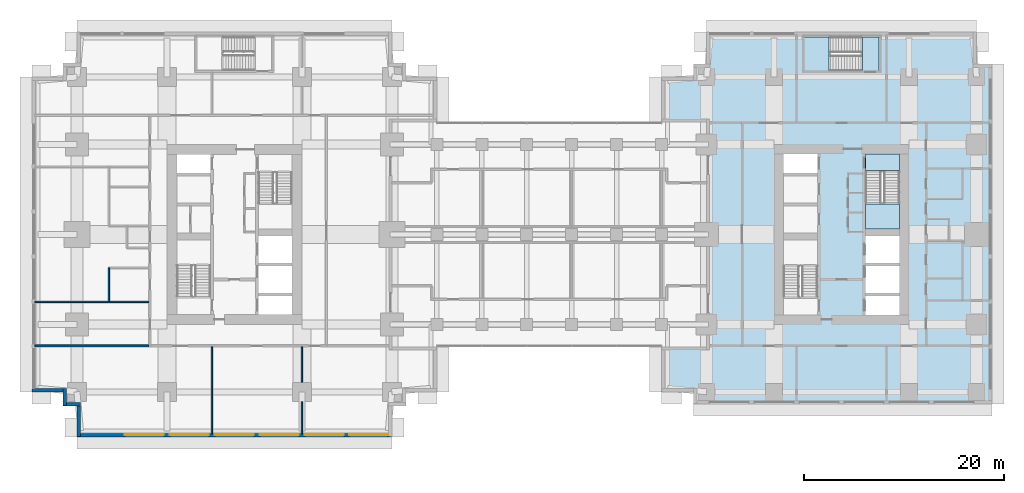
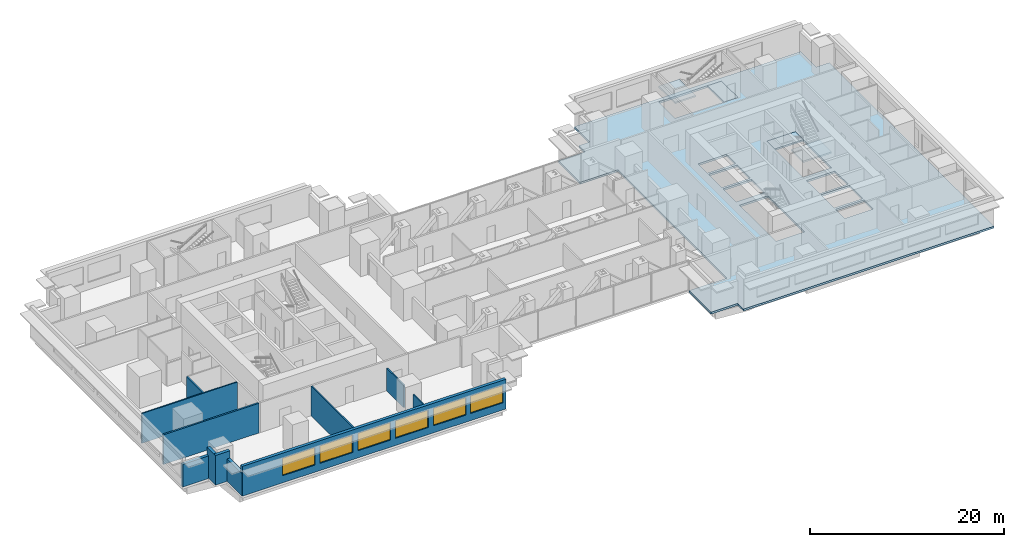
# One storey, part 6 of 16: 11 walls, 6 windows, 5 slabs, 6 openings, 2 elements without a shape of their own.
"""IFC4 building model written with IfcOpenShell, lengths in metres."""

from ifc_helpers import new_model, si_unit, direction, frame, frame_2d, origin, place, context, subcontext, project, spatial, polyline, rectangle, outline, extrude, material, layer, layer_set, type_object, element, fill, aggregate, save


model = new_model("IFC4")

# Units and contexts
model_context = context("Model", 3, precision=1e-05, world=origin(), true_north=direction((0.0, 1.0)))
body_context = subcontext(model_context, "Body", "Model", "MODEL_VIEW")
ifc_project = project(units=[si_unit("LENGTHUNIT", "METRE"), si_unit("AREAUNIT", "SQUARE_METRE"), si_unit("VOLUMEUNIT", "CUBIC_METRE"), si_unit("PLANEANGLEUNIT", "RADIAN"), si_unit("MASSUNIT", "GRAM", prefix="KILO")], contexts=[model_context])

# Site, building, storey
site_placement = place(None, origin())
site = spatial("IfcSite", under=ifc_project, at=site_placement, CompositionType="ELEMENT")
building_placement = place(site_placement, origin())
building = spatial("IfcBuilding", under=site, at=building_placement, Name="Namib Vertical Campus", CompositionType="ELEMENT")
storey_placement = place(building_placement, frame((0.0, 0.0, 121.0)))
storey = spatial("IfcBuildingStorey", under=building, at=storey_placement, Name="L28", CompositionType="ELEMENT", Elevation=121.0)

# Slab
ifc_material_1 = material(Name="Concrete C40/50", Category="concrete")
ifc_layer_1 = layer(ifc_material_1, 0.25)
ifc_layer_set_1 = layer_set([ifc_layer_1], Name="Concrete C40/50")
slab_type_1 = type_object("IfcSlabType", Name="Floor slab 250", PredefinedType="FLOOR", material=ifc_layer_set_1)
slab_1_placement = place(storey_placement, frame((0.0, 0.0, -0.25)))
element("IfcSlab", 1, at=slab_1_placement, inside=storey, type_object=slab_type_1, Name="Floor slab B L28", PredefinedType="FLOOR", context=body_context, shape_type="SweptSolid", body=[
    extrude(outline(polyline([(63.0, 9.0), (63.0, 4.5), (66.199951171875, 4.5), (66.199951171875, 3.300048828125), (96.050048828125, 3.300048828125), (96.050048828125, 37.300048828125), (94.5, 37.300048828125), (94.5, 40.5), (67.5, 40.5), (67.5, 37.300048828125), (66.199951171875, 37.300048828125), (66.199951171875, 36.0), (63.0, 36.0), (63.0, 31.5), (67.5, 31.5), (67.5, 9.0), (63.0, 9.0)]), holes=[polyline([(75.199951171875, 12.199951171875), (78.60009765625, 12.199951171875), (78.60009765625, 19.699951171875), (75.199951171875, 19.699951171875), (75.199951171875, 12.199951171875)]), polyline([(83.39990234375, 20.800048828125), (86.800048828125, 20.800048828125), (86.800048828125, 28.300048828125), (83.39990234375, 28.300048828125), (83.39990234375, 20.800048828125)]), polyline([(83.39990234375, 12.199951171875), (86.800048828125, 12.199951171875), (86.800048828125, 14.10009765625), (83.39990234375, 14.10009765625), (83.39990234375, 12.199951171875)]), polyline([(75.199951171875, 20.39990234375), (78.60009765625, 20.39990234375), (78.60009765625, 23.10009765625), (75.199951171875, 23.10009765625), (75.199951171875, 20.39990234375)]), polyline([(75.199951171875, 23.39990234375), (78.60009765625, 23.39990234375), (78.60009765625, 26.10009765625), (75.199951171875, 26.10009765625), (75.199951171875, 23.39990234375)]), polyline([(75.199951171875, 26.39990234375), (78.60009765625, 26.39990234375), (78.60009765625, 28.300048828125), (75.199951171875, 28.300048828125), (75.199951171875, 26.39990234375)]), polyline([(83.39990234375, 14.39990234375), (86.800048828125, 14.39990234375), (86.800048828125, 17.10009765625), (83.39990234375, 17.10009765625), (83.39990234375, 14.39990234375)]), polyline([(83.39990234375, 17.39990234375), (86.800048828125, 17.39990234375), (86.800048828125, 20.10009765625), (83.39990234375, 20.10009765625), (83.39990234375, 17.39990234375)]), polyline([(77.25, 36.60009765625), (84.75, 36.60009765625), (84.75, 40.0), (77.25, 40.0), (77.25, 36.60009765625)])]), origin(), (0.0, 0.0, 1.0), 0.25),
])

# Stair, slabs
ifc_material_2 = material(Name="Concrete C40/50 precast", Category="concrete")
stair_type = type_object("IfcStairType", Name="Exit stair 4000 rise 24 risers 3400 wide", PredefinedType="HALF_TURN_STAIR", material=ifc_material_2)
stair_1_placement = place(storey_placement, origin())
stair_1 = element("IfcStair", 2, at=stair_1_placement, inside=storey, type_object=stair_type, Name="Exit stair B-S2 L28", PredefinedType="HALF_TURN_STAIR")
ifc_material_3 = material(Name="Concrete C40/50", Category="concrete")
ifc_layer_2 = layer(ifc_material_3, 0.199951171875)
ifc_layer_set_2 = layer_set([ifc_layer_2], Name="Concrete C40/50")
slab_type_2 = type_object("IfcSlabType", Name="Stair landing 200", PredefinedType="LANDING", material=ifc_layer_set_2)
slab_2_placement = place(storey_placement, frame((0.0, 0.0, -0.199951171875)))
slab_2 = element("IfcSlab", 3, at=slab_2_placement, type_object=slab_type_2, Name="B-S2 landing 1", PredefinedType="LANDING", context=body_context, shape_type="SweptSolid", body=[
    extrude(outline(polyline([(83.39990234375, 26.64599609375), (86.800048828125, 26.64599609375), (86.800048828125, 28.300048828125), (83.39990234375, 28.300048828125), (83.39990234375, 26.64599609375)])), origin(), (0.0, 0.0, 1.0), 0.199951171875),
])
slab_3_placement = place(storey_placement, frame((0.0, 0.0, 1.800048828125)))
slab_3 = element("IfcSlab", 4, at=slab_3_placement, type_object=slab_type_2, Name="B-S2 landing 2", PredefinedType="LANDING", context=body_context, shape_type="SweptSolid", body=[
    extrude(outline(polyline([(83.39990234375, 20.800048828125), (86.800048828125, 20.800048828125), (86.800048828125, 23.27392578125), (83.39990234375, 23.27392578125), (83.39990234375, 20.800048828125)])), origin(), (0.0, 0.0, 1.0), 0.199951171875),
])
aggregate(stair_1, [slab_2, slab_3])

stair_2_placement = place(storey_placement, origin())
stair_2 = element("IfcStair", 5, at=stair_2_placement, inside=storey, type_object=stair_type, Name="Exit stair B-S3 L28", PredefinedType="HALF_TURN_STAIR")
slab_4_placement = place(storey_placement, frame((0.0, 0.0, -0.199951171875)))
slab_4 = element("IfcSlab", 6, at=slab_4_placement, type_object=slab_type_2, Name="B-S3 landing 1", PredefinedType="LANDING", context=body_context, shape_type="SweptSolid", body=[
    extrude(outline(polyline([(83.09619140625, 36.60009765625), (83.09619140625, 40.0), (84.75, 40.0), (84.75, 36.60009765625), (83.09619140625, 36.60009765625)])), origin(), (0.0, 0.0, 1.0), 0.199951171875),
])
slab_5_placement = place(storey_placement, frame((0.0, 0.0, 1.800048828125)))
slab_5 = element("IfcSlab", 7, at=slab_5_placement, type_object=slab_type_2, Name="B-S3 landing 2", PredefinedType="LANDING", context=body_context, shape_type="SweptSolid", body=[
    extrude(outline(polyline([(77.25, 36.60009765625), (77.25, 40.0), (79.723876953125, 40.0), (79.723876953125, 36.60009765625), (77.25, 36.60009765625)])), origin(), (0.0, 0.0, 1.0), 0.199951171875),
])
aggregate(stair_2, [slab_4, slab_5])

# Walls
ifc_material_4 = material(Name="Concrete masonry", Category="masonry")
ifc_layer_3 = layer(ifc_material_4, 0.199951171875)
ifc_layer_set_3 = layer_set([ifc_layer_3], Name="Corridor wall 200")
wall_type_1 = type_object("IfcWallType", Name="Corridor wall 200", PredefinedType="SOLIDWALL", material=ifc_layer_set_3)
wall_1_placement = place(storey_placement, frame((0.300048828125, 9.10009765625, 0.0), z_axis=(0.0, 0.0, 1.0), x_axis=(1.0, 0.0, 0.0)))
element("IfcWall", 8, at=wall_1_placement, inside=storey, type_object=wall_type_1, Name="Partition A L28 BSW", PredefinedType="SOLIDWALL", context=body_context, shape_type="SweptSolid", body=[
    extrude(rectangle(XDim=11.39990234375, YDim=0.199951171875, at=frame_2d((5.699951171875, 0.0))), origin(), (0.0, 0.0, 1.0), 3.75),
])
ifc_material_5 = material(Name="Concrete C40/50", Category="concrete")
ifc_layer_4 = layer(ifc_material_5, 0.35009765625)
ifc_layer_set_4 = layer_set([ifc_layer_4], Name="Concrete C40/50")
wall_type_2 = type_object("IfcWallType", Name="External wall 350 bush-hammered concrete", PredefinedType="STANDARD", material=ifc_layer_set_4)
wall_2_placement = place(storey_placement, frame((4.675048828125, 3.429931640625, 0.0), z_axis=(0.0, 0.0, 1.0), x_axis=(0.0, -1.0, 0.0)))
element("IfcWall", 9, at=wall_2_placement, inside=storey, type_object=wall_type_2, Name="External wall L28 F01", PredefinedType="STANDARD", context=body_context, shape_type="SweptSolid", body=[
    extrude(rectangle(XDim=3.409912109375, YDim=0.35009765625, at=frame_2d((1.705078125, 0.0))), origin(), (0.0, 0.0, 1.0), 2.85009765625),
])

# Wall, openings, windows
wall_3_placement = place(storey_placement, frame((4.52001953125, 0.175048828125, 0.0), z_axis=(0.0, 0.0, 1.0), x_axis=(1.0, 0.0, 0.0)))
wall_3 = element("IfcWall", 10, at=wall_3_placement, inside=storey, type_object=wall_type_2, Name="External wall L28 F02", PredefinedType="STANDARD", context=body_context, shape_type="SweptSolid", body=[
    extrude(rectangle(XDim=31.4599609375, YDim=0.35009765625, at=frame_2d((15.72998046875, 0.0))), origin(), (0.0, 0.0, 1.0), 3.75),
])
opening_1_placement = place(wall_3_placement, frame((4.780029296875, 0.0, 0.89990234375)))
opening_1 = element("IfcOpeningElement", 11, at=opening_1_placement, cuts=wall_3, Name="Opening W1", PredefinedType="OPENING", context=body_context, shape_type="SweptSolid", body=[
    extrude(rectangle(XDim=3.89990234375, YDim=2.199951171875, at=frame_2d((1.949951171875, 1.10009765625))), frame((0.0, 0.18505859375, 0.0), z_axis=(0.0, -1.0, 0.0), x_axis=(1.0, 0.0, 0.0)), (0.0, 0.0, 1.0), 0.3701171875),
])
opening_2_placement = place(wall_3_placement, frame((9.280029296875, 0.0, 0.89990234375)))
opening_2 = element("IfcOpeningElement", 12, at=opening_2_placement, cuts=wall_3, Name="Opening W1", PredefinedType="OPENING", context=body_context, shape_type="SweptSolid", body=[
    extrude(rectangle(XDim=3.89990234375, YDim=2.199951171875, at=frame_2d((1.949951171875, 1.10009765625))), frame((0.0, 0.18505859375, 0.0), z_axis=(0.0, -1.0, 0.0), x_axis=(1.0, 0.0, 0.0)), (0.0, 0.0, 1.0), 0.3701171875),
])
opening_3_placement = place(wall_3_placement, frame((13.780029296875, 0.0, 0.89990234375)))
opening_3 = element("IfcOpeningElement", 13, at=opening_3_placement, cuts=wall_3, Name="Opening W1", PredefinedType="OPENING", context=body_context, shape_type="SweptSolid", body=[
    extrude(rectangle(XDim=3.89990234375, YDim=2.199951171875, at=frame_2d((1.949951171875, 1.10009765625))), frame((0.0, 0.18505859375, 0.0), z_axis=(0.0, -1.0, 0.0), x_axis=(1.0, 0.0, 0.0)), (0.0, 0.0, 1.0), 0.3701171875),
])
opening_4_placement = place(wall_3_placement, frame((18.280029296875, 0.0, 0.89990234375)))
opening_4 = element("IfcOpeningElement", 14, at=opening_4_placement, cuts=wall_3, Name="Opening W1", PredefinedType="OPENING", context=body_context, shape_type="SweptSolid", body=[
    extrude(rectangle(XDim=3.89990234375, YDim=2.199951171875, at=frame_2d((1.949951171875, 1.10009765625))), frame((0.0, 0.18505859375, 0.0), z_axis=(0.0, -1.0, 0.0), x_axis=(1.0, 0.0, 0.0)), (0.0, 0.0, 1.0), 0.3701171875),
])
opening_5_placement = place(wall_3_placement, frame((22.780029296875, 0.0, 0.89990234375)))
opening_5 = element("IfcOpeningElement", 15, at=opening_5_placement, cuts=wall_3, Name="Opening W1", PredefinedType="OPENING", context=body_context, shape_type="SweptSolid", body=[
    extrude(rectangle(XDim=3.89990234375, YDim=2.199951171875, at=frame_2d((1.949951171875, 1.10009765625))), frame((0.0, 0.18505859375, 0.0), z_axis=(0.0, -1.0, 0.0), x_axis=(1.0, 0.0, 0.0)), (0.0, 0.0, 1.0), 0.3701171875),
])
opening_6_placement = place(wall_3_placement, frame((27.2099609375, 0.0, 0.89990234375)))
opening_6 = element("IfcOpeningElement", 16, at=opening_6_placement, cuts=wall_3, Name="Opening W1", PredefinedType="OPENING", context=body_context, shape_type="SweptSolid", body=[
    extrude(rectangle(XDim=3.89990234375, YDim=2.199951171875, at=frame_2d((1.949951171875, 1.10009765625))), frame((0.0, 0.18505859375, 0.0), z_axis=(0.0, -1.0, 0.0), x_axis=(1.0, 0.0, 0.0)), (0.0, 0.0, 1.0), 0.3701171875),
])
ifc_material_6 = material(Name="Dark tinted glass in black aluminium frame", Category="aluminium")
window_type = type_object("IfcWindowType", Name="Ribbon window 3900x2200", PartitioningType="SINGLE_PANEL", PredefinedType="WINDOW", material=ifc_material_6)
window_1_placement = place(opening_1_placement, origin())
window_1 = element("IfcWindow", 17, at=window_1_placement, inside=storey, type_object=window_type, Name="Window W1 L28 F02-2", OverallHeight=2.199951171875, OverallWidth=3.89990234375, PartitioningType="SINGLE_PANEL", PredefinedType="WINDOW", context=body_context, shape_type="SweptSolid", body=[
    extrude(rectangle(XDim=3.89990234375, YDim=2.199951171875, at=frame_2d((1.949951171875, 1.10009765625))), frame((0.0, 0.030029296875, 0.0), z_axis=(0.0, -1.0, 0.0), x_axis=(1.0, 0.0, 0.0)), (0.0, 0.0, 1.0), 0.06005859375),
])
fill(opening_1, window_1)
window_2_placement = place(opening_2_placement, origin())
window_2 = element("IfcWindow", 18, at=window_2_placement, inside=storey, type_object=window_type, Name="Window W1 L28 F02-3", OverallHeight=2.199951171875, OverallWidth=3.89990234375, PartitioningType="SINGLE_PANEL", PredefinedType="WINDOW", context=body_context, shape_type="SweptSolid", body=[
    extrude(rectangle(XDim=3.89990234375, YDim=2.199951171875, at=frame_2d((1.949951171875, 1.10009765625))), frame((0.0, 0.030029296875, 0.0), z_axis=(0.0, -1.0, 0.0), x_axis=(1.0, 0.0, 0.0)), (0.0, 0.0, 1.0), 0.06005859375),
])
fill(opening_2, window_2)
window_3_placement = place(opening_3_placement, origin())
window_3 = element("IfcWindow", 19, at=window_3_placement, inside=storey, type_object=window_type, Name="Window W1 L28 F02-4", OverallHeight=2.199951171875, OverallWidth=3.89990234375, PartitioningType="SINGLE_PANEL", PredefinedType="WINDOW", context=body_context, shape_type="SweptSolid", body=[
    extrude(rectangle(XDim=3.89990234375, YDim=2.199951171875, at=frame_2d((1.949951171875, 1.10009765625))), frame((0.0, 0.030029296875, 0.0), z_axis=(0.0, -1.0, 0.0), x_axis=(1.0, 0.0, 0.0)), (0.0, 0.0, 1.0), 0.06005859375),
])
fill(opening_3, window_3)
window_4_placement = place(opening_4_placement, origin())
window_4 = element("IfcWindow", 20, at=window_4_placement, inside=storey, type_object=window_type, Name="Window W1 L28 F02-5", OverallHeight=2.199951171875, OverallWidth=3.89990234375, PartitioningType="SINGLE_PANEL", PredefinedType="WINDOW", context=body_context, shape_type="SweptSolid", body=[
    extrude(rectangle(XDim=3.89990234375, YDim=2.199951171875, at=frame_2d((1.949951171875, 1.10009765625))), frame((0.0, 0.030029296875, 0.0), z_axis=(0.0, -1.0, 0.0), x_axis=(1.0, 0.0, 0.0)), (0.0, 0.0, 1.0), 0.06005859375),
])
fill(opening_4, window_4)
window_5_placement = place(opening_5_placement, origin())
window_5 = element("IfcWindow", 21, at=window_5_placement, inside=storey, type_object=window_type, Name="Window W1 L28 F02-6", OverallHeight=2.199951171875, OverallWidth=3.89990234375, PartitioningType="SINGLE_PANEL", PredefinedType="WINDOW", context=body_context, shape_type="SweptSolid", body=[
    extrude(rectangle(XDim=3.89990234375, YDim=2.199951171875, at=frame_2d((1.949951171875, 1.10009765625))), frame((0.0, 0.030029296875, 0.0), z_axis=(0.0, -1.0, 0.0), x_axis=(1.0, 0.0, 0.0)), (0.0, 0.0, 1.0), 0.06005859375),
])
fill(opening_5, window_5)
window_6_placement = place(opening_6_placement, origin())
window_6 = element("IfcWindow", 22, at=window_6_placement, inside=storey, type_object=window_type, Name="Window W1 L28 F02-7", OverallHeight=2.199951171875, OverallWidth=3.89990234375, PartitioningType="SINGLE_PANEL", PredefinedType="WINDOW", context=body_context, shape_type="SweptSolid", body=[
    extrude(rectangle(XDim=3.89990234375, YDim=2.199951171875, at=frame_2d((1.949951171875, 1.10009765625))), frame((0.0, 0.030029296875, 0.0), z_axis=(0.0, -1.0, 0.0), x_axis=(1.0, 0.0, 0.0)), (0.0, 0.0, 1.0), 0.06005859375),
])
fill(opening_6, window_6)

# Walls
wall_4_placement = place(storey_placement, frame((0.02001953125, 4.675048828125, 0.0), z_axis=(0.0, 0.0, 1.0), x_axis=(1.0, 0.0, 0.0)))
element("IfcWall", 23, at=wall_4_placement, inside=storey, type_object=wall_type_2, Name="External wall L28 F22", PredefinedType="STANDARD", context=body_context, shape_type="SweptSolid", body=[
    extrude(rectangle(XDim=3.409912109375, YDim=0.35009765625, at=frame_2d((1.705078125, 0.0))), origin(), (0.0, 0.0, 1.0), 2.85009765625),
])
for number, where, z_axis, x_axis, name in (
    (24, (3.27490234375, 4.830078125, 0.0), (0.0, 0.0, 1.0), (0.0, -1.0, 0.0), "External wall L28 F23"),
    (25, (3.1201171875, 3.27490234375, 0.0), (0.0, 0.0, 1.0), (1.0, 0.0, 0.0), "External wall L28 F24"),
):
    element("IfcWall", number, at=place(storey_placement, frame(where, z_axis=z_axis, x_axis=x_axis)), inside=storey, type_object=wall_type_2, Name=name, PredefinedType="STANDARD", context=body_context, shape_type="SweptSolid", body=[
        extrude(rectangle(XDim=1.7099609375, YDim=0.35009765625, at=frame_2d((0.85498046875, 0.0))), origin(), (0.0, 0.0, 1.0), 3.75),
    ])
ifc_material_7 = material(Name="Gypsum board on steel studs", Category="steel")
ifc_layer_5 = layer(ifc_material_7, 0.14990234375)
ifc_layer_set_5 = layer_set([ifc_layer_5], Name="Gypsum board on steel studs")
wall_type_3 = type_object("IfcWallType", Name="Partition 150", PredefinedType="PARTITIONING", material=ifc_layer_set_5)
wall_5_placement = place(storey_placement, frame((18.0, 0.300048828125, 0.0), z_axis=(0.0, 0.0, 1.0), x_axis=(0.0, 1.0, 0.0)))
element("IfcWall", 26, at=wall_5_placement, inside=storey, type_object=wall_type_3, Name="Partition A L28 PS1", PredefinedType="PARTITIONING", context=body_context, shape_type="SweptSolid", body=[
    extrude(rectangle(XDim=8.699951171875, YDim=0.14990234375, at=frame_2d((4.35009765625, 0.0))), origin(), (0.0, 0.0, 1.0), 3.75),
])
wall_6_placement = place(storey_placement, frame((27.0, 0.300048828125, 0.0), z_axis=(0.0, 0.0, 1.0), x_axis=(0.0, 1.0, 0.0)))
element("IfcWall", 27, at=wall_6_placement, inside=storey, type_object=wall_type_3, Name="Partition A L28 PS2", PredefinedType="PARTITIONING", context=body_context, shape_type="SweptSolid", body=[
    extrude(rectangle(XDim=3.22998046875, YDim=0.14990234375, at=frame_2d((1.614990234375, 0.0))), origin(), (0.0, 0.0, 1.0), 2.85009765625),
])
wall_7_placement = place(storey_placement, frame((27.0, 5.469970703125, 0.0), z_axis=(0.0, 0.0, 1.0), x_axis=(0.0, 1.0, 0.0)))
element("IfcWall", 28, at=wall_7_placement, inside=storey, type_object=wall_type_3, Name="Partition A L28 PS2", PredefinedType="PARTITIONING", context=body_context, shape_type="SweptSolid", body=[
    extrude(rectangle(XDim=3.530029296875, YDim=0.14990234375, at=frame_2d((1.76513671875, 0.0))), origin(), (0.0, 0.0, 1.0), 2.85009765625),
])
wall_8_placement = place(storey_placement, frame((0.300048828125, 13.5, 0.0), z_axis=(0.0, 0.0, 1.0), x_axis=(1.0, 0.0, 0.0)))
element("IfcWall", 29, at=wall_8_placement, inside=storey, type_object=wall_type_3, Name="Partition A L28 PW1", PredefinedType="PARTITIONING", context=body_context, shape_type="SweptSolid", body=[
    extrude(rectangle(XDim=11.39990234375, YDim=0.14990234375, at=frame_2d((5.699951171875, 0.0))), origin(), (0.0, 0.0, 1.0), 3.75),
])
wall_9_placement = place(storey_placement, frame((7.699951171875, 13.5, 0.0), z_axis=(0.0, 0.0, 1.0), x_axis=(0.0, 1.0, 0.0)))
element("IfcWall", 30, at=wall_9_placement, inside=storey, type_object=wall_type_3, Name="Partition A L28 WB1", PredefinedType="PARTITIONING", context=body_context, shape_type="SweptSolid", body=[
    extrude(rectangle(XDim=3.39990234375, YDim=0.14990234375, at=frame_2d((1.699951171875, 0.0))), origin(), (0.0, 0.0, 1.0), 3.75),
])

save(model, "model.ifc")
